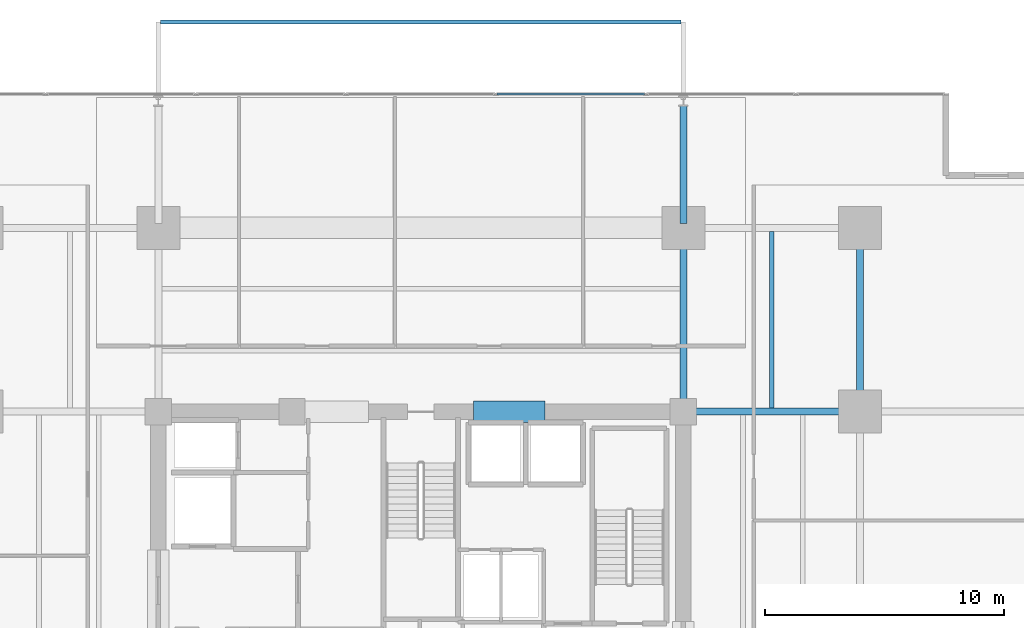
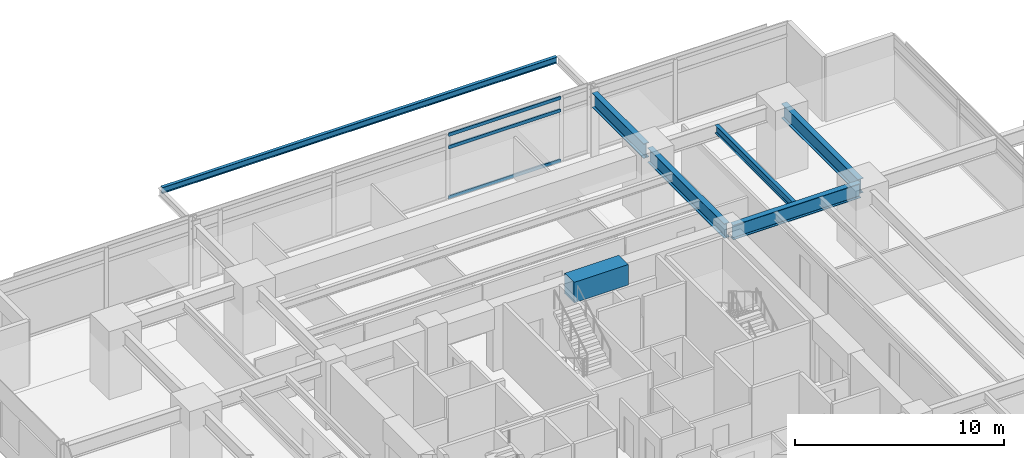
# One storey, part 10 of 22: 7 beams, 3 members, 1 element without a shape of its own.
"""IFC4 building model written with IfcOpenShell, lengths in metres."""

from ifc_helpers import new_model, si_unit, direction, frame, origin, origin_2d, place, context, subcontext, project, spatial, rectangle, hollow_rectangle, i_section, extrude, material, material_profile, profile_set, type_object, element, aggregate, save


model = new_model("IFC4")

# Units and contexts
model_context = context("Model", 3, precision=1e-05, world=origin(), true_north=direction((0.0, 1.0)))
body_context = subcontext(model_context, "Body", "Model", "MODEL_VIEW")
ifc_project = project(units=[si_unit("LENGTHUNIT", "METRE"), si_unit("AREAUNIT", "SQUARE_METRE"), si_unit("VOLUMEUNIT", "CUBIC_METRE"), si_unit("PLANEANGLEUNIT", "RADIAN"), si_unit("MASSUNIT", "GRAM", prefix="KILO")], contexts=[model_context])

# Site, building, storey
site_placement = place(None, origin())
site = spatial("IfcSite", under=ifc_project, at=site_placement, CompositionType="ELEMENT")
building_placement = place(site_placement, origin())
building = spatial("IfcBuilding", under=site, at=building_placement, Name="Kovane Verandah Tower", CompositionType="ELEMENT")
storey_placement = place(building_placement, frame((0.0, 0.0, 59.60009765625)))
storey = spatial("IfcBuildingStorey", under=building, at=storey_placement, Name="L13", CompositionType="ELEMENT", Elevation=59.60009765625)

# Beams
ifc_material_1 = material(Name="Concrete C80/95", Category="concrete")
ifc_material_profile_1 = material_profile(ifc_material_1, rectangle(XDim=0.89990234375, YDim=1.199951171875, at=origin_2d()), Name="RCB900x1200")
ifc_profile_set_1 = profile_set([ifc_material_profile_1], Name="Concrete C80/95")
beam_type_1 = type_object("IfcBeamType", Name="BM-LINTEL-900x1200", PredefinedType="LINTEL", material=ifc_profile_set_1)
beam_1_placement = place(storey_placement, frame((42.199951171875, 36.5, 3.159912109375), z_axis=(1.0, 0.0, 0.0), x_axis=(0.0, 1.0, 0.0)))
element("IfcBeam", 1, at=beam_1_placement, inside=storey, type_object=beam_type_1, Name="L13 Core Coupling Lintel CL-N2", PredefinedType="LINTEL", context=body_context, shape_type="SweptSolid", body=[
    extrude(rectangle(XDim=0.89990234375, YDim=1.199951171875, at=origin_2d()), origin(), (0.0, 0.0, 1.0), 3.0),
])
ifc_material_2 = material(Name="Steel S355", Category="steel")
ifc_material_profile_2 = material_profile(ifc_material_2, i_section(OverallWidth=0.293701171875, OverallDepth=0.850830078125, WebThickness=0.01611328125, FlangeThickness=0.02685546875, FilletRadius=0.017822265625, at=origin_2d()), Name="UB838x292x226")
ifc_profile_set_2 = profile_set([ifc_material_profile_2], Name="Steel S355")
beam_type_2 = type_object("IfcBeamType", Name="BM-UB838x226", PredefinedType="BEAM", material=ifc_profile_set_2)
beam_2_placement = place(storey_placement, frame((58.39990234375, 36.679931640625, 3.33447265625), z_axis=(0.0, 1.0, 0.0), x_axis=(-1.0, 0.0, 0.0)))
element("IfcBeam", 2, at=beam_2_placement, inside=storey, type_object=beam_type_2, Name="L13 Primary Tower Girder G-RE3", PredefinedType="BEAM", context=body_context, shape_type="SweptSolid", body=[
    extrude(i_section(OverallWidth=0.293701171875, OverallDepth=0.850830078125, WebThickness=0.01611328125, FlangeThickness=0.02685546875, FilletRadius=0.017822265625, at=origin_2d()), origin(), (0.0, 0.0, 1.0), 7.340087890625),
])
beam_3_placement = place(storey_placement, frame((51.179931640625, 36.5, 3.33447265625), z_axis=(1.0, 0.0, 0.0), x_axis=(0.0, 1.0, 0.0)))
element("IfcBeam", 3, at=beam_3_placement, inside=storey, type_object=beam_type_2, Name="L13 Primary Tower Girder G-E2", PredefinedType="BEAM", context=body_context, shape_type="SweptSolid", body=[
    extrude(i_section(OverallWidth=0.293701171875, OverallDepth=0.850830078125, WebThickness=0.01611328125, FlangeThickness=0.02685546875, FilletRadius=0.017822265625, at=origin_2d()), origin(), (0.0, 0.0, 1.0), 7.0400390625),
])
beam_4_placement = place(storey_placement, frame((51.0, 36.679931640625, 3.33447265625), z_axis=(0.0, 1.0, 0.0), x_axis=(-1.0, 0.0, 0.0)))
element("IfcBeam", 4, at=beam_4_placement, inside=storey, type_object=beam_type_2, Name="L13 Primary Tower Girder G-N2", PredefinedType="BEAM", context=body_context, shape_type="SweptSolid", body=[
    extrude(i_section(OverallWidth=0.293701171875, OverallDepth=0.850830078125, WebThickness=0.01611328125, FlangeThickness=0.02685546875, FilletRadius=0.017822265625, at=origin_2d()), origin(), (0.0, 0.0, 1.0), 7.340087890625),
])
beam_5_placement = place(storey_placement, frame((51.0, 44.3798828125, 3.33447265625), z_axis=(0.0, 1.0, 0.0), x_axis=(-1.0, 0.0, 0.0)))
element("IfcBeam", 5, at=beam_5_placement, inside=storey, type_object=beam_type_2, Name="L13 Primary Tower Girder G-VN2", PredefinedType="BEAM", context=body_context, shape_type="SweptSolid", body=[
    extrude(i_section(OverallWidth=0.293701171875, OverallDepth=0.850830078125, WebThickness=0.01611328125, FlangeThickness=0.02685546875, FilletRadius=0.017822265625, at=origin_2d()), origin(), (0.0, 0.0, 1.0), 4.940185546875),
])

# Curtain wall, members
ifc_material_3 = material(Name="Champagne Anodised Aluminium Frame with Low-E Clear Laminated Glass", Category="aluminium")
curtain_wall_type = type_object("IfcCurtainWallType", Name="CW-SYS-02-LOW", PredefinedType="NOTDEFINED", material=ifc_material_3)
curtain_wall_placement = place(storey_placement, origin())
curtain_wall = element("IfcCurtainWall", 6, at=curtain_wall_placement, inside=storey, type_object=curtain_wall_type, Name="L13 N Unitised Curtain Wall", PredefinedType="NOTDEFINED")
ifc_material_4 = material(Name="Champagne Anodised Aluminium 6063-T6", Category="aluminium")
ifc_material_profile_3 = material_profile(ifc_material_4, hollow_rectangle(XDim=0.0849609375, YDim=0.18994140625, WallThickness=0.00390625, at=origin_2d()), Name="AL85x190x4")
ifc_profile_set_3 = profile_set([ifc_material_profile_3], Name="Champagne Anodised Aluminium 6063-T6")
member_type = type_object("IfcMemberType", Name="CW-TRN-85x190", PredefinedType="USERDEFINED", material=ifc_profile_set_3)
member_1_placement = place(storey_placement, frame((49.380859375, 49.8037109375, 0.0498046875), z_axis=(-1.0, 0.0, 0.0), x_axis=(0.0, -1.0, 0.0)))
member_1 = element("IfcMember", 7, at=member_1_placement, type_object=member_type, Name="L13 N Unitised Curtain Wall Transom TB Bay 3", ObjectType="TRANSOM", PredefinedType="USERDEFINED", context=body_context, shape_type="SweptSolid", body=[
    extrude(hollow_rectangle(XDim=0.0849609375, YDim=0.18994140625, WallThickness=0.00390625, at=origin_2d()), origin(), (0.0, 0.0, 1.0), 6.187255859375),
])
member_2_placement = place(storey_placement, frame((49.380859375, 49.8037109375, 2.97998046875), z_axis=(-1.0, 0.0, 0.0), x_axis=(0.0, -1.0, 0.0)))
member_2 = element("IfcMember", 8, at=member_2_placement, type_object=member_type, Name="L13 N Unitised Curtain Wall Transom TM Bay 3", ObjectType="TRANSOM", PredefinedType="USERDEFINED", context=body_context, shape_type="SweptSolid", body=[
    extrude(hollow_rectangle(XDim=0.0849609375, YDim=0.18994140625, WallThickness=0.00390625, at=origin_2d()), origin(), (0.0, 0.0, 1.0), 6.187255859375),
])
member_3_placement = place(storey_placement, frame((49.380859375, 49.8037109375, 3.7099609375), z_axis=(-1.0, 0.0, 0.0), x_axis=(0.0, -1.0, 0.0)))
member_3 = element("IfcMember", 9, at=member_3_placement, type_object=member_type, Name="L13 N Unitised Curtain Wall Transom TT Bay 3", ObjectType="TRANSOM", PredefinedType="USERDEFINED", context=body_context, shape_type="SweptSolid", body=[
    extrude(hollow_rectangle(XDim=0.0849609375, YDim=0.18994140625, WallThickness=0.00390625, at=origin_2d()), origin(), (0.0, 0.0, 1.0), 6.187255859375),
])
aggregate(curtain_wall, [member_1, member_2, member_3])

# Beams
ifc_material_profile_4 = material_profile(ifc_material_2, i_section(OverallWidth=0.19287109375, OverallDepth=0.46728515625, WebThickness=0.011474609375, FlangeThickness=0.01953125, FilletRadius=0.01025390625, at=origin_2d()), Name="UB457x191x98")
ifc_profile_set_4 = profile_set([ifc_material_profile_4], Name="Steel S355")
beam_type_3 = type_object("IfcBeamType", Name="JST-UB457x98", PredefinedType="JOIST", material=ifc_profile_set_4)
beam_6_placement = place(storey_placement, frame((54.699951171875, 36.64501953125, 3.5263671875), z_axis=(0.0, 1.0, 0.0), x_axis=(-1.0, 0.0, 0.0)))
element("IfcBeam", 10, at=beam_6_placement, inside=storey, type_object=beam_type_3, Name="L13 Secondary Composite Joist J-NE1", PredefinedType="JOIST", context=body_context, shape_type="SweptSolid", body=[
    extrude(i_section(OverallWidth=0.19287109375, OverallDepth=0.46728515625, WebThickness=0.011474609375, FlangeThickness=0.01953125, FilletRadius=0.01025390625, at=origin_2d()), origin(), (0.0, 0.0, 1.0), 7.41015625),
])
ifc_material_profile_5 = material_profile(ifc_material_2, i_section(OverallWidth=0.173095703125, OverallDepth=0.36328125, WebThickness=0.009033203125, FlangeThickness=0.015625, FilletRadius=0.01025390625, at=origin_2d()), Name="UB356x171x67")
ifc_profile_set_5 = profile_set([ifc_material_profile_5], Name="Steel S355")
beam_type_4 = type_object("IfcBeamType", Name="SPD-UB356x67", PredefinedType="USERDEFINED", material=ifc_profile_set_5)
beam_7_placement = place(storey_placement, frame((29.094482421875, 52.824951171875, 3.578125), z_axis=(1.0, 0.0, 0.0), x_axis=(0.0, 1.0, 0.0)))
element("IfcBeam", 11, at=beam_7_placement, inside=storey, type_object=beam_type_4, Name="L13 North Planter Edge Spandrel", ObjectType="SPANDREL", PredefinedType="USERDEFINED", context=body_context, shape_type="SweptSolid", body=[
    extrude(i_section(OverallWidth=0.173095703125, OverallDepth=0.36328125, WebThickness=0.009033203125, FlangeThickness=0.015625, FilletRadius=0.01025390625, at=origin_2d()), origin(), (0.0, 0.0, 1.0), 21.81103515625),
])

save(model, "model.ifc")
